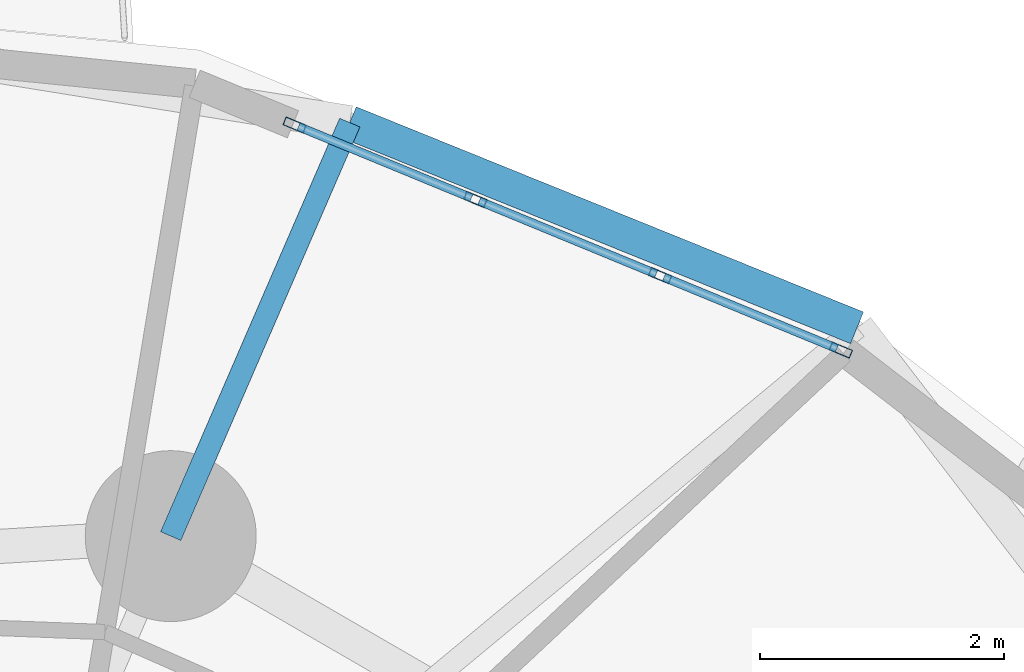
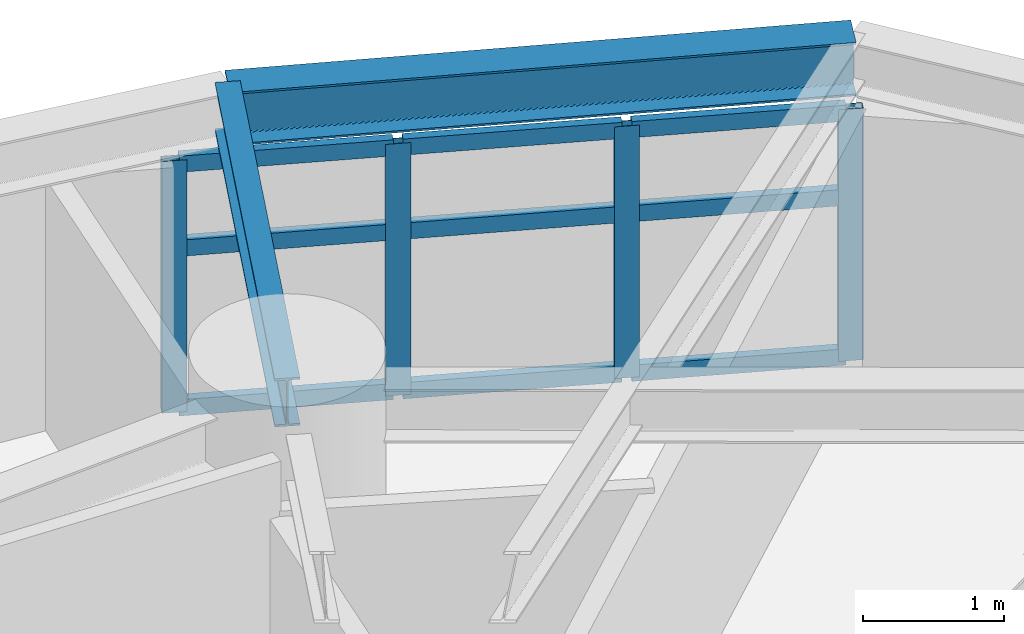
# One storey, part 6 of 18: 13 members, 2 beams, 1 element without a shape of its own.
"""IFC4 building model written with IfcOpenShell, lengths in metres."""

from ifc_helpers import new_model, si_unit, direction, frame, origin, origin_2d, place, context, subcontext, project, spatial, hollow_rectangle, i_section, extrude, material, layer, layer_set, material_profile, profile_set, type_object, element, aggregate, save


model = new_model("IFC4")

# Units and contexts
model_context = context("Model", 3, precision=1e-05, world=origin(), true_north=direction((0.0, 1.0)))
body_context = subcontext(model_context, "Body", "Model", "MODEL_VIEW")
ifc_project = project(units=[si_unit("LENGTHUNIT", "METRE"), si_unit("AREAUNIT", "SQUARE_METRE"), si_unit("VOLUMEUNIT", "CUBIC_METRE"), si_unit("PLANEANGLEUNIT", "RADIAN"), si_unit("MASSUNIT", "GRAM", prefix="KILO")], contexts=[model_context])

# Site, building, storey
site_placement = place(None, origin())
site = spatial("IfcSite", under=ifc_project, at=site_placement, CompositionType="ELEMENT")
building_placement = place(site_placement, origin())
building = spatial("IfcBuilding", under=site, at=building_placement, Name="Cununo Teusaquillo Station Towers", CompositionType="ELEMENT")
storey_placement = place(building_placement, frame((0.0, 0.0, 105.070068359375)))
storey = spatial("IfcBuildingStorey", under=building, at=storey_placement, Name="L33", CompositionType="ELEMENT", Elevation=105.070068359375)

# Beams
ifc_material_1 = material(Name="Steel ASTM A572 Grade 50", Category="steel")
ifc_material_profile_1 = material_profile(ifc_material_1, i_section(OverallWidth=0.180908203125, OverallDepth=0.4169921875, WebThickness=0.010986328125, FlangeThickness=0.018310546875, FilletRadius=0.012939453125, at=origin_2d()), Name="W16X57")
ifc_profile_set_1 = profile_set([ifc_material_profile_1], Name="Steel ASTM A572 Grade 50")
beam_type_1 = type_object("IfcBeamType", Name="BM-RAD-G2", PredefinedType="BEAM", material=ifc_profile_set_1)
beam_1_placement = place(storey_placement, frame((58.291015625, 37.63525390625, 2.46142578125), z_axis=(0.397421761279, 0.917636062751, 0.0), x_axis=(-0.917636062751, 0.397421761279, 0.0)))
element("IfcBeam", 1, at=beam_1_placement, inside=storey, type_object=beam_type_1, Name="L33 Tower B Perimeter Overhang Girder 02B", PredefinedType="BEAM", context=body_context, shape_type="SweptSolid", body=[
    extrude(i_section(OverallWidth=0.180908203125, OverallDepth=0.4169921875, WebThickness=0.010986328125, FlangeThickness=0.018310546875, FilletRadius=0.012939453125, at=origin_2d()), origin(), (0.0, 0.0, 1.0), 3.690185546875),
])
ifc_material_2 = material(Name="Steel ASTM A572 Grade 50", Category="steel")
ifc_material_profile_2 = material_profile(ifc_material_2, i_section(OverallWidth=0.280029296875, OverallDepth=0.462890625, WebThickness=0.0107421875, FlangeThickness=0.017333984375, FilletRadius=0.013916015625, at=origin_2d()), Name="W18X76")
ifc_profile_set_2 = profile_set([ifc_material_profile_2], Name="Steel ASTM A572 Grade 50")
beam_type_2 = type_object("IfcBeamType", Name="BM-RING-Z2", PredefinedType="SPANDREL", material=ifc_profile_set_2)
beam_2_placement = place(storey_placement, frame((63.9111328125, 39.341064453125, 2.4384765625), z_axis=(-0.927007712072, 0.375042266631, 0.0), x_axis=(-0.375042266631, -0.927007712072, 0.0)))
element("IfcBeam", 2, at=beam_2_placement, inside=storey, type_object=beam_type_2, Name="L33 Tower B Spandrel Ring Beam 02", PredefinedType="SPANDREL", context=body_context, shape_type="SweptSolid", body=[
    extrude(i_section(OverallWidth=0.280029296875, OverallDepth=0.462890625, WebThickness=0.0107421875, FlangeThickness=0.017333984375, FilletRadius=0.013916015625, at=origin_2d()), origin(), (0.0, 0.0, 1.0), 4.480712890625),
])

# Curtain wall, members
ifc_material_3 = material(Name="Ceramic-fritted dark low-E double glazing", Category="glass")
ifc_layer = layer(ifc_material_3, 0.179931640625)
ifc_layer_set = layer_set([ifc_layer], Name="Ceramic-fritted dark low-E double glazing")
curtain_wall_type = type_object("IfcCurtainWallType", Name="CW-SYS-04", PredefinedType="USERDEFINED", material=ifc_layer_set)
curtain_wall_placement = place(storey_placement, origin())
curtain_wall = element("IfcCurtainWall", 3, at=curtain_wall_placement, inside=storey, type_object=curtain_wall_type, Name="L33 Tower B Facade Curtain Wall C01", ObjectType="FRITTED GLAZING", PredefinedType="USERDEFINED")
ifc_material_4 = material(Name="Anodised dark bronze aluminium EN AW-6063-T6", Category="aluminium")
ifc_material_profile_3 = material_profile(ifc_material_4, hollow_rectangle(XDim=0.070068359375, YDim=0.179931640625, WallThickness=0.00390625, at=origin_2d()), Name="CW-MULL-70x180")
ifc_profile_set_3 = profile_set([ifc_material_profile_3], Name="Anodised dark bronze aluminium EN AW-6063-T6")
member_type_1 = type_object("IfcMemberType", Name="CWM-180", PredefinedType="MULLION", material=ifc_profile_set_3)
member_1_placement = place(storey_placement, frame((59.3056640625, 41.001953125, 0.0), z_axis=(0.0, 0.0, 1.0), x_axis=(0.381030560176, 0.924562443652, 0.0)))
member_1 = element("IfcMember", 4, at=member_1_placement, type_object=member_type_1, Name="CW-04 mullion 1", PredefinedType="MULLION", context=body_context, shape_type="SweptSolid", body=[
    extrude(hollow_rectangle(XDim=0.070068359375, YDim=0.179931640625, WallThickness=0.00390625, at=origin_2d()), origin(), (0.0, 0.0, 1.0), 2.178955078125),
])
member_2_placement = place(storey_placement, frame((60.785888671875, 40.39208984375, 0.0), z_axis=(0.0, 0.0, 1.0), x_axis=(0.381030560176, 0.924562443652, 0.0)))
member_2 = element("IfcMember", 5, at=member_2_placement, type_object=member_type_1, Name="CW-04 mullion 2", PredefinedType="MULLION", context=body_context, shape_type="SweptSolid", body=[
    extrude(hollow_rectangle(XDim=0.070068359375, YDim=0.179931640625, WallThickness=0.00390625, at=origin_2d()), origin(), (0.0, 0.0, 1.0), 2.178955078125),
])
member_3_placement = place(storey_placement, frame((62.298583984375, 39.7685546875, 0.0), z_axis=(0.0, 0.0, 1.0), x_axis=(0.381030560176, 0.924562443652, 0.0)))
member_3 = element("IfcMember", 6, at=member_3_placement, type_object=member_type_1, Name="CW-04 mullion 3", PredefinedType="MULLION", context=body_context, shape_type="SweptSolid", body=[
    extrude(hollow_rectangle(XDim=0.070068359375, YDim=0.179931640625, WallThickness=0.00390625, at=origin_2d()), origin(), (0.0, 0.0, 1.0), 2.178955078125),
])
member_4_placement = place(storey_placement, frame((63.77880859375, 39.158447265625, 0.0), z_axis=(0.0, 0.0, 1.0), x_axis=(0.381030560176, 0.924562443652, 0.0)))
member_4 = element("IfcMember", 7, at=member_4_placement, type_object=member_type_1, Name="CW-04 mullion 4", PredefinedType="MULLION", context=body_context, shape_type="SweptSolid", body=[
    extrude(hollow_rectangle(XDim=0.070068359375, YDim=0.179931640625, WallThickness=0.00390625, at=origin_2d()), origin(), (0.0, 0.0, 1.0), 2.178955078125),
])
ifc_material_5 = material(Name="Anodised dark bronze aluminium EN AW-6063-T6", Category="aluminium")
ifc_material_profile_4 = material_profile(ifc_material_5, hollow_rectangle(XDim=0.070068359375, YDim=0.139892578125, WallThickness=0.00390625, at=origin_2d()), Name="CW-TRAN-70x140")
ifc_profile_set_4 = profile_set([ifc_material_profile_4], Name="Anodised dark bronze aluminium EN AW-6063-T6")
member_type_2 = type_object("IfcMemberType", Name="CWT-140", PredefinedType="USERDEFINED", material=ifc_profile_set_4)
member_5_placement = place(storey_placement, frame((59.337890625, 40.98876953125, 0.034912109375), z_axis=(0.924532726965, -0.381102659097, 0.0), x_axis=(0.381102659097, 0.924532726965, 0.0)))
member_5 = element("IfcMember", 8, at=member_5_placement, type_object=member_type_2, Name="CW-04 transom 1.1", ObjectType="TRANSOM", PredefinedType="USERDEFINED", context=body_context, shape_type="SweptSolid", body=[
    extrude(hollow_rectangle(XDim=0.070068359375, YDim=0.139892578125, WallThickness=0.00390625, at=origin_2d()), origin(), (0.0, 0.0, 1.0), 1.531005859375),
])
member_6_placement = place(storey_placement, frame((59.337890625, 40.98876953125, 1.416015625), z_axis=(0.924532726965, -0.381102659097, 0.0), x_axis=(0.381102659097, 0.924532726965, 0.0)))
member_6 = element("IfcMember", 9, at=member_6_placement, type_object=member_type_2, Name="CW-04 transom 1.2", ObjectType="TRANSOM", PredefinedType="USERDEFINED", context=body_context, shape_type="SweptSolid", body=[
    extrude(hollow_rectangle(XDim=0.070068359375, YDim=0.139892578125, WallThickness=0.00390625, at=origin_2d()), origin(), (0.0, 0.0, 1.0), 1.531005859375),
])
member_7_placement = place(storey_placement, frame((59.337890625, 40.98876953125, 2.14404296875), z_axis=(0.924532726965, -0.381102659097, 0.0), x_axis=(0.381102659097, 0.924532726965, 0.0)))
member_7 = element("IfcMember", 10, at=member_7_placement, type_object=member_type_2, Name="CW-04 transom 1.3", ObjectType="TRANSOM", PredefinedType="USERDEFINED", context=body_context, shape_type="SweptSolid", body=[
    extrude(hollow_rectangle(XDim=0.070068359375, YDim=0.139892578125, WallThickness=0.00390625, at=origin_2d()), origin(), (0.0, 0.0, 1.0), 1.531005859375),
])
member_8_placement = place(storey_placement, frame((60.818115234375, 40.378662109375, 0.034912109375), z_axis=(0.924577983912, -0.380992849887, 0.0), x_axis=(0.380992849887, 0.924577983912, 0.0)))
member_8 = element("IfcMember", 11, at=member_8_placement, type_object=member_type_2, Name="CW-04 transom 2.1", ObjectType="TRANSOM", PredefinedType="USERDEFINED", context=body_context, shape_type="SweptSolid", body=[
    extrude(hollow_rectangle(XDim=0.070068359375, YDim=0.139892578125, WallThickness=0.00390625, at=origin_2d()), origin(), (0.0, 0.0, 1.0), 1.566162109375),
])
member_9_placement = place(storey_placement, frame((60.818115234375, 40.378662109375, 1.416015625), z_axis=(0.924577983912, -0.380992849887, 0.0), x_axis=(0.380992849887, 0.924577983912, 0.0)))
member_9 = element("IfcMember", 12, at=member_9_placement, type_object=member_type_2, Name="CW-04 transom 2.2", ObjectType="TRANSOM", PredefinedType="USERDEFINED", context=body_context, shape_type="SweptSolid", body=[
    extrude(hollow_rectangle(XDim=0.070068359375, YDim=0.139892578125, WallThickness=0.00390625, at=origin_2d()), origin(), (0.0, 0.0, 1.0), 1.566162109375),
])
member_10_placement = place(storey_placement, frame((60.818115234375, 40.378662109375, 2.14404296875), z_axis=(0.924577983912, -0.380992849887, 0.0), x_axis=(0.380992849887, 0.924577983912, 0.0)))
member_10 = element("IfcMember", 13, at=member_10_placement, type_object=member_type_2, Name="CW-04 transom 2.3", ObjectType="TRANSOM", PredefinedType="USERDEFINED", context=body_context, shape_type="SweptSolid", body=[
    extrude(hollow_rectangle(XDim=0.070068359375, YDim=0.139892578125, WallThickness=0.00390625, at=origin_2d()), origin(), (0.0, 0.0, 1.0), 1.566162109375),
])
member_11_placement = place(storey_placement, frame((62.330810546875, 39.75537109375, 0.034912109375), z_axis=(0.924555881283, -0.381046483233, 0.0), x_axis=(0.381046483233, 0.924555881283, 0.0)))
member_11 = element("IfcMember", 14, at=member_11_placement, type_object=member_type_2, Name="CW-04 transom 3.1", ObjectType="TRANSOM", PredefinedType="USERDEFINED", context=body_context, shape_type="SweptSolid", body=[
    extrude(hollow_rectangle(XDim=0.070068359375, YDim=0.139892578125, WallThickness=0.00390625, at=origin_2d()), origin(), (0.0, 0.0, 1.0), 1.53125),
])
member_12_placement = place(storey_placement, frame((62.330810546875, 39.75537109375, 1.416015625), z_axis=(0.924555881283, -0.381046483233, 0.0), x_axis=(0.381046483233, 0.924555881283, 0.0)))
member_12 = element("IfcMember", 15, at=member_12_placement, type_object=member_type_2, Name="CW-04 transom 3.2", ObjectType="TRANSOM", PredefinedType="USERDEFINED", context=body_context, shape_type="SweptSolid", body=[
    extrude(hollow_rectangle(XDim=0.070068359375, YDim=0.139892578125, WallThickness=0.00390625, at=origin_2d()), origin(), (0.0, 0.0, 1.0), 1.53125),
])
member_13_placement = place(storey_placement, frame((62.330810546875, 39.75537109375, 2.14404296875), z_axis=(0.924555881283, -0.381046483233, 0.0), x_axis=(0.381046483233, 0.924555881283, 0.0)))
member_13 = element("IfcMember", 16, at=member_13_placement, type_object=member_type_2, Name="CW-04 transom 3.3", ObjectType="TRANSOM", PredefinedType="USERDEFINED", context=body_context, shape_type="SweptSolid", body=[
    extrude(hollow_rectangle(XDim=0.070068359375, YDim=0.139892578125, WallThickness=0.00390625, at=origin_2d()), origin(), (0.0, 0.0, 1.0), 1.53125),
])
aggregate(curtain_wall, [member_1, member_2, member_3, member_4, member_5, member_6, member_7, member_8, member_9, member_10, member_11, member_12, member_13])

save(model, "model.ifc")
